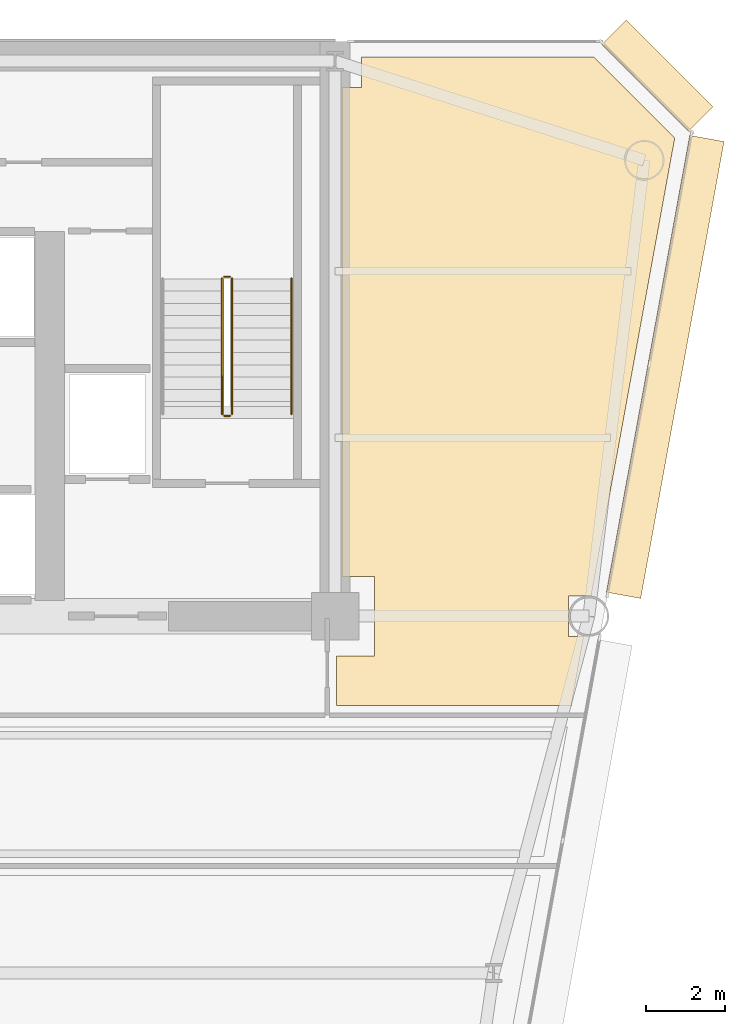
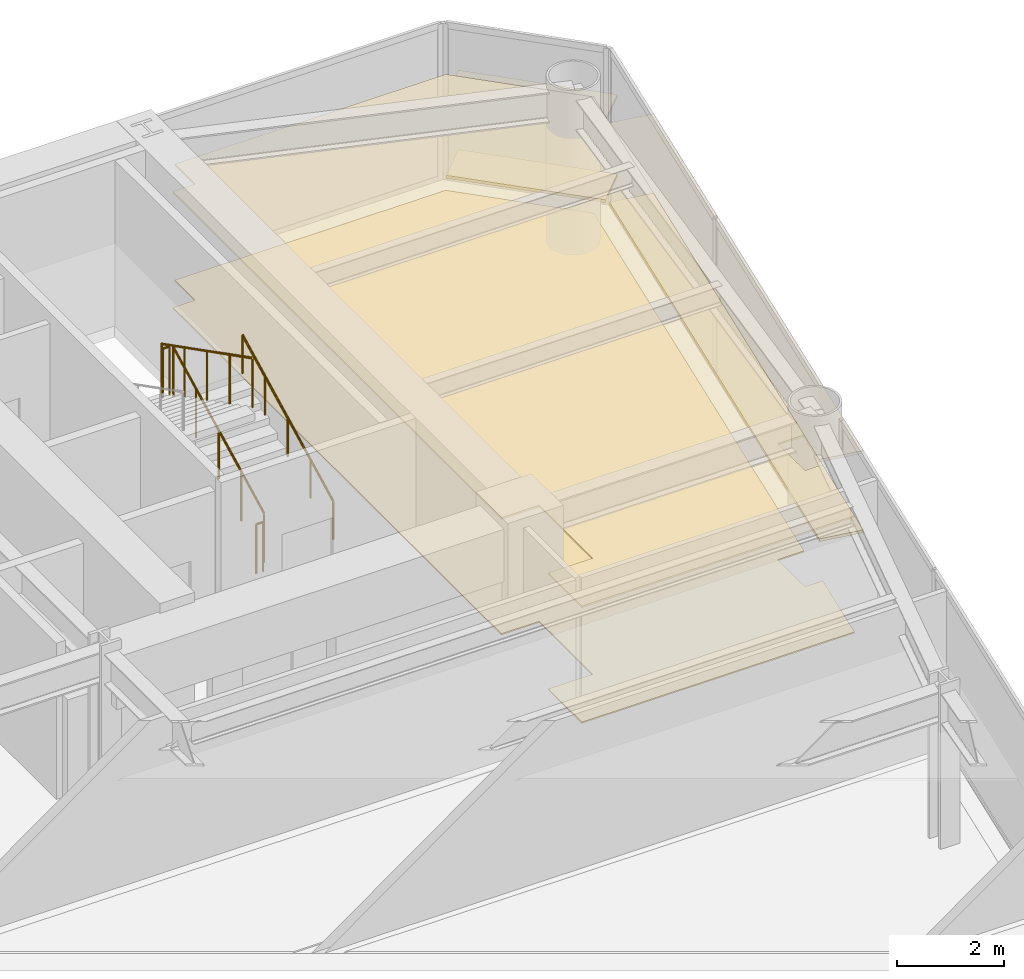
# One storey, part 17 of 17: 6 coverings, 5 railings.
"""IFC4 building model written with IfcOpenShell, lengths in metres."""

from ifc_helpers import new_model, si_unit, direction, frame, origin, origin_2d, place, context, subcontext, project, spatial, polyline, rectangle, circle, outline, extrude, source, transform, mapped, material, layer, layer_set, type_object, element, save


model = new_model("IFC4")

# Units and contexts
model_context = context("Model", 3, precision=1e-05, world=origin(), true_north=direction((0.0, 1.0)))
body_context = subcontext(model_context, "Body", "Model", "MODEL_VIEW")
ifc_project = project(units=[si_unit("LENGTHUNIT", "METRE"), si_unit("AREAUNIT", "SQUARE_METRE"), si_unit("VOLUMEUNIT", "CUBIC_METRE"), si_unit("PLANEANGLEUNIT", "RADIAN"), si_unit("MASSUNIT", "GRAM", prefix="KILO")], contexts=[model_context])

# Site, building, storey
site_placement = place(None, origin())
site = spatial("IfcSite", under=ifc_project, at=site_placement, CompositionType="ELEMENT")
building_placement = place(site_placement, origin())
building = spatial("IfcBuilding", under=site, at=building_placement, Name="Vaeldorn Concourse Tower", CompositionType="ELEMENT")
storey_placement = place(building_placement, frame((0.0, 0.0, 153.800048828125)))
storey = spatial("IfcBuildingStorey", under=building, at=storey_placement, Name="L39", CompositionType="ELEMENT", Elevation=153.800048828125)

# Coverings
ifc_material_1 = material(Name="Acoustic Mineral Fibre Board", Category="gypsum")
ifc_layer_1 = layer(ifc_material_1, 0.0400390625)
ifc_layer_set_1 = layer_set([ifc_layer_1], Name="Acoustic Mineral Fibre Board")
covering_type_1 = type_object("IfcCoveringType", Name="COV-CEIL-ACOUSTIC", PredefinedType="CEILING", material=ifc_layer_set_1)
covering_1_placement = place(storey_placement, frame((0.0, 0.0, 2.64990234375)))
element("IfcCovering", 1, at=covering_1_placement, inside=storey, type_object=covering_type_1, Name="Suspended Acoustic Ceiling L39-4", PredefinedType="CEILING", context=body_context, shape_type="SweptSolid", body=[
    extrude(outline(polyline([(54.179931640625, 49.840087890625), (54.659912109375, 49.840087890625), (54.659912109375, 50.60009765625), (60.5341796875, 50.60009765625), (62.56884765625, 48.5654296875), (60.517578125, 37.320068359375), (60.517578125, 37.320068359375), (60.460693359375, 37.008056640625), (59.89208984375, 37.008056640625), (59.89208984375, 35.991943359375), (60.275390625, 35.991943359375), (59.955810546875, 34.239990234375), (54.0400390625, 34.239990234375), (54.0400390625, 35.5), (55.0, 35.5), (55.0, 37.5), (54.179931640625, 37.5), (54.179931640625, 49.840087890625)])), origin(), (0.0, 0.0, 1.0), 0.0400390625),
])
ifc_material_2 = material(Name="Honed Limestone Terrazzo Flooring", Category="masonry")
ifc_layer_2 = layer(ifc_material_2, 0.0400390625)
ifc_layer_set_2 = layer_set([ifc_layer_2], Name="Honed Limestone Terrazzo Flooring")
covering_type_2 = type_object("IfcCoveringType", Name="COV-FLOOR-STONE", PredefinedType="FLOORING", material=ifc_layer_set_2)
covering_2_placement = place(storey_placement, origin())
element("IfcCovering", 2, at=covering_2_placement, inside=storey, type_object=covering_type_2, Name="Floor Finish Covering L39-4", PredefinedType="FLOORING", context=body_context, shape_type="SweptSolid", body=[
    extrude(outline(polyline([(54.179931640625, 49.840087890625), (54.659912109375, 49.840087890625), (54.659912109375, 50.60009765625), (60.5341796875, 50.60009765625), (62.56884765625, 48.5654296875), (60.517578125, 37.320068359375), (60.517578125, 37.320068359375), (60.460693359375, 37.008056640625), (59.89208984375, 37.008056640625), (59.89208984375, 35.991943359375), (60.275390625, 35.991943359375), (59.955810546875, 34.239990234375), (54.0400390625, 34.239990234375), (54.0400390625, 35.5), (55.0, 35.5), (55.0, 37.5), (54.179931640625, 37.5), (54.179931640625, 49.840087890625)])), origin(), (0.0, 0.0, 1.0), 0.030029296875),
])

# Railings
ifc_material_3 = material(Name="Anodised Bronze Aluminium", Category="aluminium")
railing_type_1 = type_object("IfcRailingType", Name="RL-STAIR-GUARD", PredefinedType="GUARDRAIL", material=ifc_material_3)
railing_1_placement = place(storey_placement, frame((51.39990234375, 41.60009765625, 0.158203125)))
element("IfcRailing", 3, at=railing_1_placement, inside=storey, type_object=railing_type_1, Name="L39 ST-2 stair guard 1", PredefinedType="GUARDRAIL", context=body_context, shape_type="SweptSolid", body=[
    extrude(circle(Radius=0.02392578125, at=origin_2d()), frame((0.0, 0.0, 1.1259765625), z_axis=(0.0, 0.890555807335, 0.454873997962), x_axis=(-1.0, 0.0, 0.0)), (0.0, 0.0, 1.0), 3.828857421875),
    extrude(circle(Radius=0.02099609375, at=origin_2d()), origin(), (0.0, 0.0, 1.0), 1.101806640625),
    extrude(circle(Radius=0.02099609375, at=origin_2d()), frame((0.0, 0.8525390625, 0.435546875)), (0.0, 0.0, 1.0), 1.101806640625),
    extrude(circle(Radius=0.02099609375, at=origin_2d()), frame((0.0, 1.705078125, 0.870849609375)), (0.0, 0.0, 1.0), 1.101806640625),
    extrude(circle(Radius=0.02099609375, at=origin_2d()), frame((0.0, 2.557373046875, 1.30615234375)), (0.0, 0.0, 1.0), 1.101806640625),
    extrude(circle(Radius=0.02099609375, at=origin_2d()), frame((0.0, 3.409912109375, 1.74169921875)), (0.0, 0.0, 1.0), 1.101806640625),
])
railing_2_placement = place(storey_placement, frame((51.35009765625, 45.06005859375, 1.89990234375)))
element("IfcRailing", 4, at=railing_2_placement, inside=storey, type_object=railing_type_1, Name="L39 ST-2 stair guard 2", PredefinedType="GUARDRAIL", context=body_context, shape_type="SweptSolid", body=[
    extrude(circle(Radius=0.02392578125, at=origin_2d()), frame((0.0, 0.0, 1.1259765625), z_axis=(-1.0, 0.0, 0.0), x_axis=(0.0, -1.0, 0.0)), (0.0, 0.0, 1.0), 0.150146484375),
    extrude(circle(Radius=0.02099609375, at=origin_2d()), origin(), (0.0, 0.0, 1.0), 1.101806640625),
    extrude(circle(Radius=0.02099609375, at=origin_2d()), frame((-0.150146484375, 0.0, 0.0)), (0.0, 0.0, 1.0), 1.101806640625),
])
railing_3_placement = place(storey_placement, frame((51.14990234375, 45.010009765625, 2.058349609375)))
element("IfcRailing", 5, at=railing_3_placement, inside=storey, type_object=railing_type_1, Name="L39 ST-2 stair guard 3", PredefinedType="GUARDRAIL", context=body_context, shape_type="SweptSolid", body=[
    extrude(circle(Radius=0.02392578125, at=origin_2d()), frame((0.0, 0.0, 1.1259765625), z_axis=(0.0, -0.890555807335, 0.454873997962), x_axis=(1.0, 0.0, 0.0)), (0.0, 0.0, 1.0), 3.828857421875),
    extrude(circle(Radius=0.02099609375, at=origin_2d()), origin(), (0.0, 0.0, 1.0), 1.101806640625),
    extrude(circle(Radius=0.02099609375, at=origin_2d()), frame((0.0, -0.8525390625, 0.435546875)), (0.0, 0.0, 1.0), 1.101806640625),
    extrude(circle(Radius=0.02099609375, at=origin_2d()), frame((0.0, -1.705078125, 0.870849609375)), (0.0, 0.0, 1.0), 1.101806640625),
    extrude(circle(Radius=0.02099609375, at=origin_2d()), frame((0.0, -2.557373046875, 1.30615234375)), (0.0, 0.0, 1.0), 1.101806640625),
    extrude(circle(Radius=0.02099609375, at=origin_2d()), frame((0.0, -3.409912109375, 1.74169921875)), (0.0, 0.0, 1.0), 1.101806640625),
])
railing_4_placement = place(storey_placement, frame((51.35009765625, 41.550048828125, 0.0)))
element("IfcRailing", 6, at=railing_4_placement, inside=storey, type_object=railing_type_1, Name="L39 ST-2 stair guard 4", PredefinedType="GUARDRAIL", context=body_context, shape_type="SweptSolid", body=[
    extrude(circle(Radius=0.02392578125, at=origin_2d()), frame((0.0, 0.0, 1.1259765625), z_axis=(-1.0, 0.0, 0.0), x_axis=(0.0, -1.0, 0.0)), (0.0, 0.0, 1.0), 0.150146484375),
    extrude(circle(Radius=0.02099609375, at=origin_2d()), origin(), (0.0, 0.0, 1.0), 1.101806640625),
    extrude(circle(Radius=0.02099609375, at=origin_2d()), frame((-0.150146484375, 0.0, 0.0)), (0.0, 0.0, 1.0), 1.101806640625),
])
railing_type_2 = type_object("IfcRailingType", Name="RL-STAIR-HANDRAIL", PredefinedType="HANDRAIL", material=ifc_material_3)
railing_5_placement = place(storey_placement, frame((52.89990234375, 41.60009765625, 0.158203125)))
element("IfcRailing", 7, at=railing_5_placement, inside=storey, type_object=railing_type_2, Name="L39 ST-2 stair handrail 1", PredefinedType="HANDRAIL", context=body_context, shape_type="SweptSolid", body=[
    extrude(circle(Radius=0.02392578125, at=origin_2d()), frame((0.0, 0.0, 0.8759765625), z_axis=(0.0, 0.890555807335, 0.454873997962), x_axis=(-1.0, 0.0, 0.0)), (0.0, 0.0, 1.0), 3.828857421875),
    extrude(circle(Radius=0.02099609375, at=origin_2d()), origin(), (0.0, 0.0, 1.0), 0.851806640625),
    extrude(circle(Radius=0.02099609375, at=origin_2d()), frame((0.0, 0.8525390625, 0.435546875)), (0.0, 0.0, 1.0), 0.851806640625),
    extrude(circle(Radius=0.02099609375, at=origin_2d()), frame((0.0, 1.705078125, 0.870849609375)), (0.0, 0.0, 1.0), 0.851806640625),
    extrude(circle(Radius=0.02099609375, at=origin_2d()), frame((0.0, 2.557373046875, 1.30615234375)), (0.0, 0.0, 1.0), 0.851806640625),
    extrude(circle(Radius=0.02099609375, at=origin_2d()), frame((0.0, 3.409912109375, 1.74169921875)), (0.0, 0.0, 1.0), 0.851806640625),
])

# Coverings
ifc_layer_3 = layer(ifc_material_3, 0.06494140625)
ifc_layer_set_3 = layer_set([ifc_layer_3], Name="Anodised Bronze Aluminium")
covering_type_3 = type_object("IfcCoveringType", Name="SD-BRONZE-SUNSHADE", PredefinedType="USERDEFINED", material=ifc_layer_set_3)
shared_shape_1 = source(origin(), body_context, "Body", "SweptSolid", [
    extrude(rectangle(XDim=3.0927734375, YDim=0.8798828125, at=origin_2d()), origin(), (0.0, 0.0, 1.0), 0.06494140625),
])
for number, where, z_axis, x_axis, name in (
    (8, (62.1328125, 50.1328125, 0.04736328125), (0.0, 0.0, 1.0), (-0.707106781187, 0.707106781187, 0.0), "Horizontal Bronze Sunshade L39-E08.1.1"),
    (9, (62.1328125, 50.1328125, 1.867431640625), (0.0, 0.0, 1.0), (-0.707106781187, 0.707106781187, 0.0), "Horizontal Bronze Sunshade L39-E08.1.2"),
):
    element("IfcCovering", number, at=place(storey_placement, frame(where, z_axis=z_axis, x_axis=x_axis)), inside=storey, type_object=covering_type_3, Name=name, ObjectType="SUNSHADE", PredefinedType="USERDEFINED", context=body_context, shape_type="MappedRepresentation", body=[
        mapped(shared_shape_1, transform((0.0, 0.0, 0.0), scale=1.0)),
    ])
shared_shape_2 = source(origin(), body_context, "Body", "SweptSolid", [
    extrude(rectangle(XDim=11.71484375, YDim=0.8798828125, at=origin_2d()), origin(), (0.0, 0.0, 1.0), 0.06494140625),
])
for number, where, z_axis, x_axis, name in (
    (10, (62.328125, 42.787109375, 0.04736328125), (0.0, 0.0, 1.0), (0.179454713012, 0.983766235433, 0.0), "Horizontal Bronze Sunshade L39-E07.2.1"),
    (11, (62.328125, 42.787109375, 1.867431640625), (0.0, 0.0, 1.0), (0.179454713012, 0.983766235433, 0.0), "Horizontal Bronze Sunshade L39-E07.2.2"),
):
    element("IfcCovering", number, at=place(storey_placement, frame(where, z_axis=z_axis, x_axis=x_axis)), inside=storey, type_object=covering_type_3, Name=name, ObjectType="SUNSHADE", PredefinedType="USERDEFINED", context=body_context, shape_type="MappedRepresentation", body=[
        mapped(shared_shape_2, transform((0.0, 0.0, 0.0), scale=1.0)),
    ])

save(model, "model.ifc")
